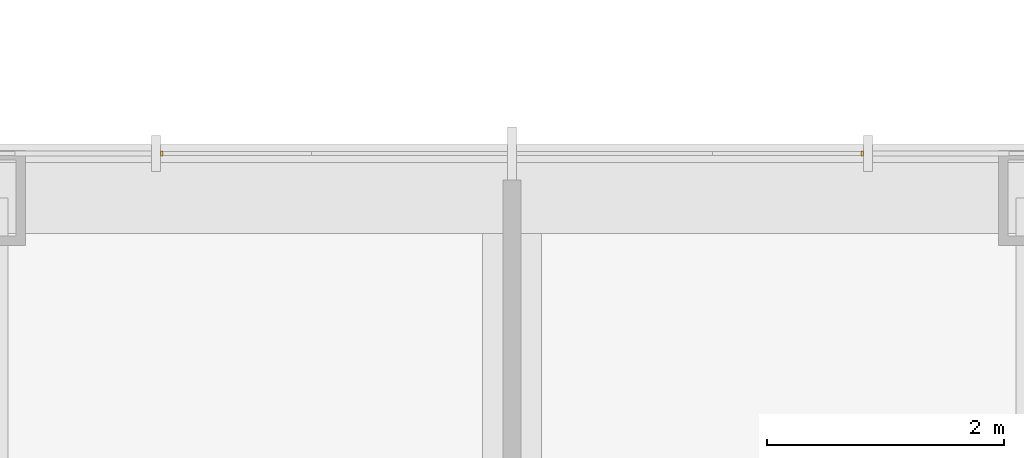
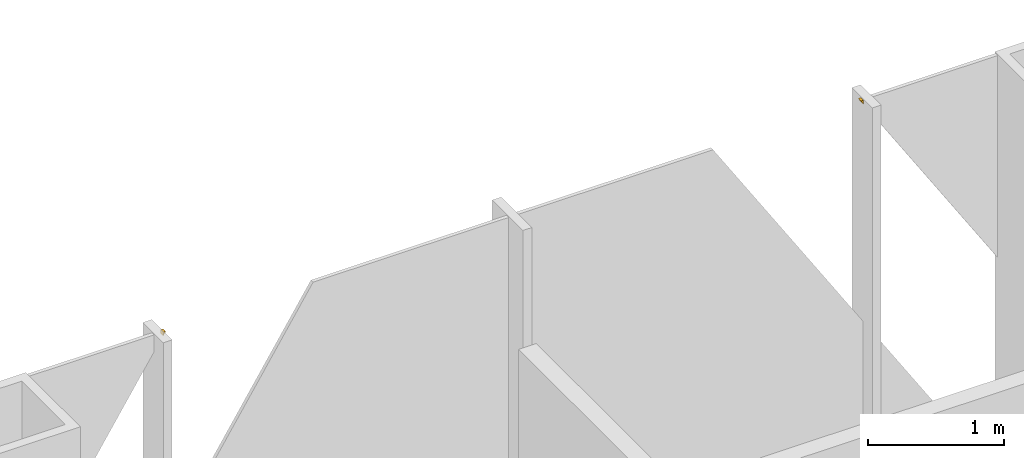
# One storey, part 17 of 17: 2 coverings.
"""IFC4 building model written with IfcOpenShell, lengths in metres."""

from ifc_helpers import new_model, si_unit, direction, frame, origin, place, context, subcontext, project, spatial, polyline, outline, extrude, material, layer, layer_set, type_object, element, save


model = new_model("IFC4")

# Units and contexts
model_context = context("Model", 3, precision=1e-05, world=origin(), true_north=direction((0.0, 1.0)))
body_context = subcontext(model_context, "Body", "Model", "MODEL_VIEW")
ifc_project = project(units=[si_unit("LENGTHUNIT", "METRE"), si_unit("AREAUNIT", "SQUARE_METRE"), si_unit("VOLUMEUNIT", "CUBIC_METRE"), si_unit("PLANEANGLEUNIT", "RADIAN"), si_unit("MASSUNIT", "GRAM", prefix="KILO")], contexts=[model_context])

# Site, building, storey
site_placement = place(None, origin())
site = spatial("IfcSite", under=ifc_project, at=site_placement, CompositionType="ELEMENT")
building_placement = place(site_placement, origin())
building = spatial("IfcBuilding", under=site, at=building_placement, Name="Malebo Sky Hospital", CompositionType="ELEMENT")
storey_placement = place(building_placement, frame((0.0, 0.0, 237.0)))
storey = spatial("IfcBuildingStorey", under=building, at=storey_placement, Name="L57", CompositionType="ELEMENT", Elevation=237.0)

# Coverings
ifc_material = material(Name="Anodised aluminium, natural silver insulated infill panel", Category="aluminium")
ifc_layer = layer(ifc_material, 0.0400390625)
ifc_layer_set = layer_set([ifc_layer], Name="BRACE INFILL PANEL 40")
covering_type = type_object("IfcCoveringType", Name="BRACE INFILL PANEL 40", PredefinedType="CLADDING", material=ifc_layer_set)
covering_1_placement = place(storey_placement, frame((57.04833984375, 84.574951171875, 3.956298828125), z_axis=(0.0, 0.0, 1.0), x_axis=(1.0, 0.0, 0.0)))
element("IfcCovering", 1, at=covering_1_placement, inside=storey, type_object=covering_type, Name="Brace infill panel 7.1", PredefinedType="CLADDING", context=body_context, shape_type="SweptSolid", body=[
    extrude(outline(polyline([(-0.0107421875, 0.0), (0.0107421875, 0.03369140625), (-0.0107421875, 0.03369140625), (-0.0107421875, 0.0)])), frame((0.0, 0.02001953125, 0.0), z_axis=(0.0, -1.0, 0.0), x_axis=(1.0, 0.0, 0.0)), (0.0, 0.0, 1.0), 0.0400390625),
])
covering_2_placement = place(storey_placement, frame((62.95166015625, 84.574951171875, 3.956298828125), z_axis=(0.0, 0.0, 1.0), x_axis=(1.0, 0.0, 0.0)))
element("IfcCovering", 2, at=covering_2_placement, inside=storey, type_object=covering_type, Name="Brace infill panel 8.1", PredefinedType="CLADDING", context=body_context, shape_type="SweptSolid", body=[
    extrude(outline(polyline([(0.0107421875, 0.0), (0.0107421875, 0.03369140625), (-0.0107421875, 0.03369140625), (0.0107421875, 0.0)])), frame((0.0, 0.02001953125, 0.0), z_axis=(0.0, -1.0, 0.0), x_axis=(1.0, 0.0, 0.0)), (0.0, 0.0, 1.0), 0.0400390625),
])

save(model, "model.ifc")
